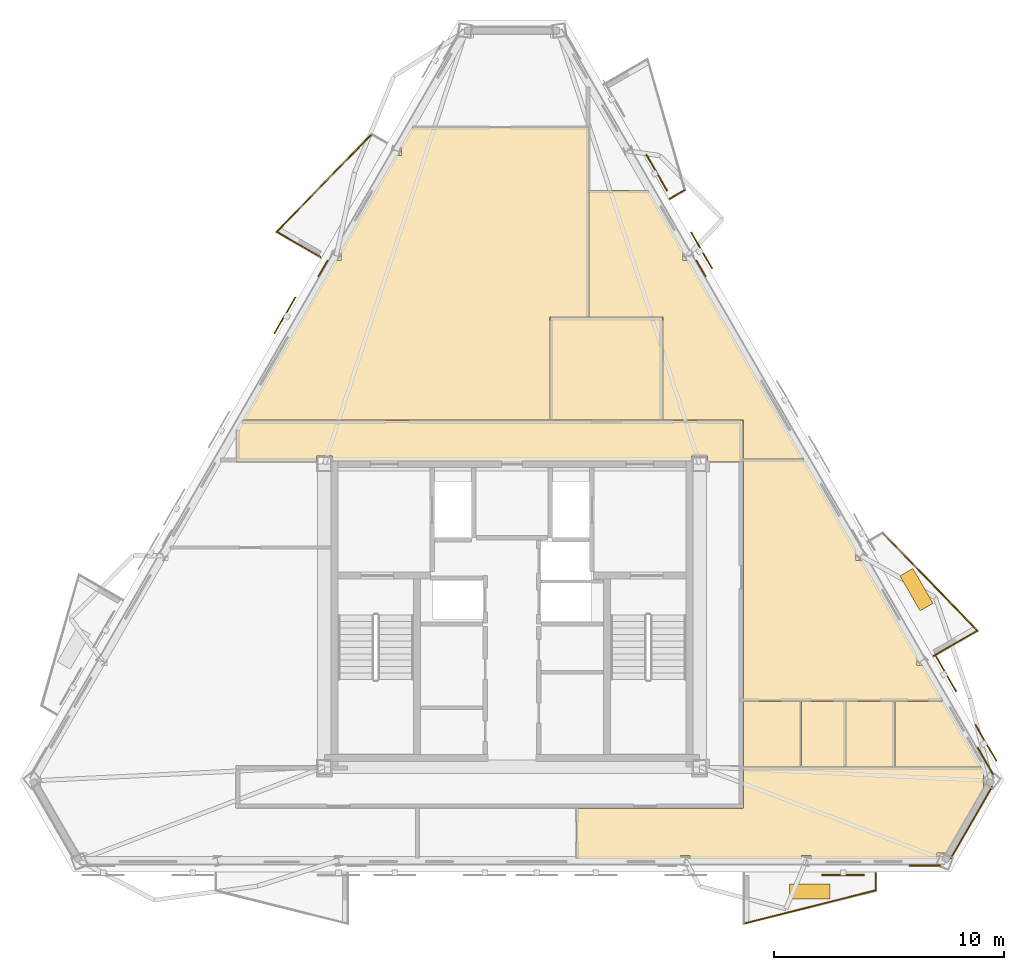
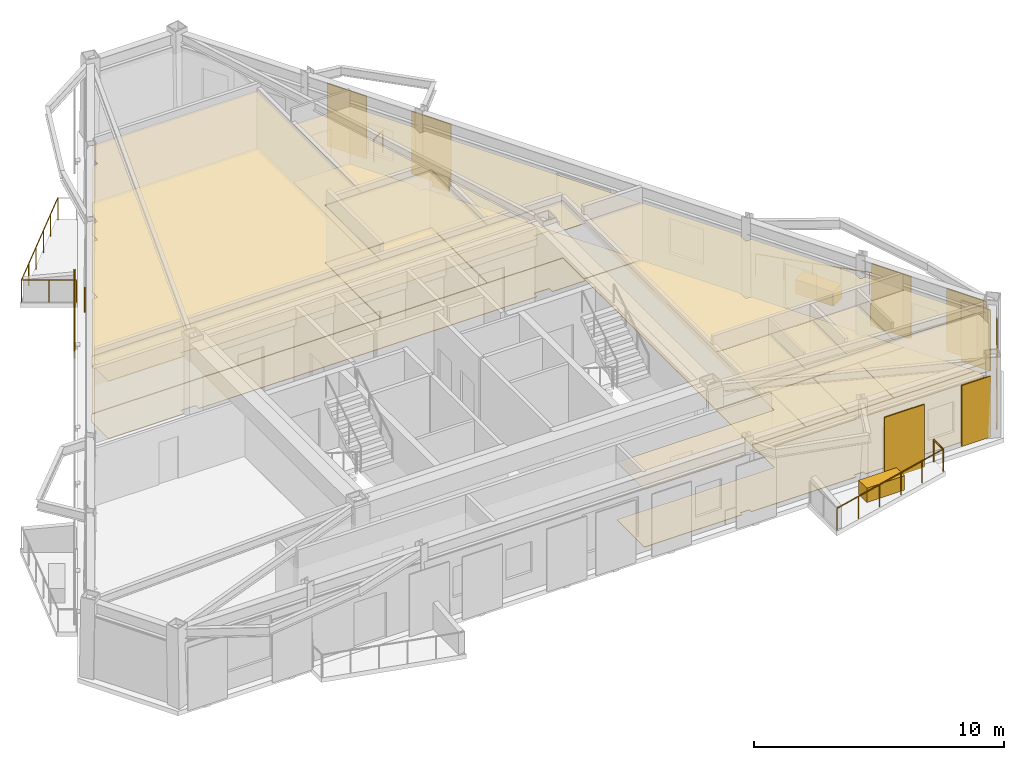
# One storey, part 8 of 9: 27 coverings, 7 railings, 6 shading devices.
"""IFC4 building model written with IfcOpenShell, lengths in metres."""

from ifc_helpers import new_model, si_unit, direction, frame, origin, origin_2d, place, context, subcontext, project, spatial, polyline, rectangle, circle, outline, extrude, material, layer, layer_set, type_object, element, save


model = new_model("IFC4")

# Units and contexts
model_context = context("Model", 3, precision=1e-05, world=origin(), true_north=direction((0.0, 1.0)))
body_context = subcontext(model_context, "Body", "Model", "MODEL_VIEW")
ifc_project = project(units=[si_unit("LENGTHUNIT", "METRE"), si_unit("AREAUNIT", "SQUARE_METRE"), si_unit("VOLUMEUNIT", "CUBIC_METRE"), si_unit("PLANEANGLEUNIT", "RADIAN"), si_unit("MASSUNIT", "GRAM", prefix="KILO")], contexts=[model_context])

# Site, building, storey
site_placement = place(None, origin())
site = spatial("IfcSite", under=ifc_project, at=site_placement, CompositionType="ELEMENT")
building_placement = place(site_placement, origin())
building = spatial("IfcBuilding", under=site, at=building_placement, Name="Oramaril Tower", CompositionType="ELEMENT")
storey_placement = place(building_placement, frame((0.0, 0.0, 292.800048828125)))
storey = spatial("IfcBuildingStorey", under=building, at=storey_placement, Name="L77", CompositionType="ELEMENT", Elevation=292.800048828125)

# Coverings
ifc_material_1 = material(Name="Mineral Fibre Acoustic Ceiling")
ifc_layer_1 = layer(ifc_material_1, 0.02001953125)
ifc_layer_set_1 = layer_set([ifc_layer_1], Name="CVT-CEIL")
covering_type_1 = type_object("IfcCoveringType", Name="CVT-CEIL", PredefinedType="CEILING", material=ifc_layer_set_1)
covering_1_placement = place(storey_placement, frame((0.0, 0.0, 2.81201171875)))
element("IfcCovering", 1, at=covering_1_placement, inside=storey, type_object=covering_type_1, Name="L77 Acoustic Suspended Ceiling 2", PredefinedType="CEILING", context=body_context, shape_type="SweptSolid", body=[
    extrude(outline(polyline([(45.9951171875, 24.239990234375), (45.9951171875, 24.4951171875), (45.304931640625, 24.4951171875), (45.304931640625, 24.25), (29.695068359375, 24.25), (29.695068359375, 24.4951171875), (29.0048828125, 24.4951171875), (29.0048828125, 24.239990234375), (25.52001953125, 24.239990234375), (25.52001953125, 25.640869140625), (25.756103515625, 26.050048828125), (47.530029296875, 26.050048828125), (47.530029296875, 24.239990234375), (45.9951171875, 24.239990234375)])), origin(), (0.0, 0.0, 1.0), 0.02001953125),
])
covering_2_placement = place(storey_placement, frame((0.0, 0.0, 2.81201171875)))
element("IfcCovering", 2, at=covering_2_placement, inside=storey, type_object=covering_type_1, Name="L77 Acoustic Suspended Ceiling 4", PredefinedType="CEILING", context=body_context, shape_type="SweptSolid", body=[
    extrude(outline(polyline([(44.0419921875, 30.511962890625), (44.0419921875, 26.070068359375), (39.157958984375, 26.070068359375), (39.157958984375, 30.511962890625), (44.0419921875, 30.511962890625)])), origin(), (0.0, 0.0, 1.0), 0.02001953125),
])
covering_3_placement = place(storey_placement, frame((0.0, 0.0, 2.81201171875)))
element("IfcCovering", 3, at=covering_3_placement, inside=storey, type_object=covering_type_1, Name="L77 Acoustic Suspended Ceiling 5", PredefinedType="CEILING", context=body_context, shape_type="SweptSolid", body=[
    extrude(outline(polyline([(57.8935546875, 10.991943359375), (58.02783203125, 10.75927734375), (57.979248046875, 10.75927734375), (57.979248046875, 10.072021484375), (58.00048828125, 10.072021484375), (56.3779296875, 7.261474609375), (55.965087890625, 7.261474609375), (55.965087890625, 6.99267578125), (50.495361328125, 6.99267578125), (50.495361328125, 7.14794921875), (50.0673828125, 7.14794921875), (50.0673828125, 6.99267578125), (45.229248046875, 6.99267578125), (45.229248046875, 7.14794921875), (44.8076171875, 7.14794921875), (44.8076171875, 6.99267578125), (40.2919921875, 6.99267578125), (40.2919921875, 9.199951171875), (47.530029296875, 9.199951171875), (47.531982421875, 9.2001953125), (47.533935546875, 9.200439453125), (47.535888671875, 9.200927734375), (47.53759765625, 9.201416015625), (47.539306640625, 9.202392578125), (47.541015625, 9.203369140625), (47.542724609375, 9.20458984375), (47.544189453125, 9.205810546875), (47.54541015625, 9.207275390625), (47.546630859375, 9.208984375), (47.547607421875, 9.210693359375), (47.548583984375, 9.21240234375), (47.549072265625, 9.214111328125), (47.549560546875, 9.216064453125), (47.5498046875, 9.218017578125), (47.550048828125, 9.219970703125), (47.550048828125, 10.991943359375), (57.8935546875, 10.991943359375)])), origin(), (0.0, 0.0, 1.0), 0.02001953125),
])
covering_4_placement = place(storey_placement, frame((0.0, 0.0, 2.81201171875)))
element("IfcCovering", 4, at=covering_4_placement, inside=storey, type_object=covering_type_1, Name="L77 Acoustic Suspended Ceiling 9", PredefinedType="CEILING", context=body_context, shape_type="SweptSolid", body=[
    extrude(outline(polyline([(52.45068359375, 20.40673828125), (52.45068359375, 19.9580078125), (52.717041015625, 19.9580078125), (55.087890625, 15.851806640625), (55.08349609375, 15.851806640625), (55.08349609375, 15.3974609375), (55.35009765625, 15.3974609375), (56.239013671875, 13.85791015625), (47.550048828125, 13.85791015625), (47.550048828125, 24.219970703125), (47.5498046875, 24.221923828125), (47.549560546875, 24.223876953125), (47.549072265625, 24.225830078125), (47.548583984375, 24.227783203125), (47.547607421875, 24.2294921875), (47.54736328125, 24.22998046875), (47.547607421875, 24.230712890625), (47.548583984375, 24.232421875), (47.549072265625, 24.234130859375), (47.549560546875, 24.236083984375), (47.5498046875, 24.238037109375), (47.550048828125, 24.239990234375), (47.550048828125, 24.362060546875), (50.17431640625, 24.362060546875), (52.4580078125, 20.40673828125), (52.45068359375, 20.40673828125)])), origin(), (0.0, 0.0, 1.0), 0.02001953125),
])
covering_5_placement = place(storey_placement, frame((0.0, 0.0, 2.81201171875)))
element("IfcCovering", 5, at=covering_5_placement, inside=storey, type_object=covering_type_1, Name="L77 Acoustic Suspended Ceiling 10", PredefinedType="CEILING", context=body_context, shape_type="SweptSolid", body=[
    extrude(outline(polyline([(50.047119140625, 11.011962890625), (47.550048828125, 11.011962890625), (47.550048828125, 11.030029296875), (47.5498046875, 11.031982421875), (47.549560546875, 11.033935546875), (47.549072265625, 11.035888671875), (47.548583984375, 11.03759765625), (47.547607421875, 11.039306640625), (47.54736328125, 11.0400390625), (47.547607421875, 11.04052734375), (47.548583984375, 11.042236328125), (47.549072265625, 11.044189453125), (47.549560546875, 11.046142578125), (47.5498046875, 11.048095703125), (47.550048828125, 11.050048828125), (47.550048828125, 13.837890625), (50.047119140625, 13.837890625), (50.047119140625, 11.011962890625)])), origin(), (0.0, 0.0, 1.0), 0.02001953125),
])
covering_6_placement = place(storey_placement, frame((0.0, 0.0, 2.81201171875)))
element("IfcCovering", 6, at=covering_6_placement, inside=storey, type_object=covering_type_1, Name="L77 Acoustic Suspended Ceiling 11", PredefinedType="CEILING", context=body_context, shape_type="SweptSolid", body=[
    extrude(outline(polyline([(51.9970703125, 11.011962890625), (50.06689453125, 11.011962890625), (50.06689453125, 13.837890625), (51.9970703125, 13.837890625), (51.9970703125, 11.011962890625)])), origin(), (0.0, 0.0, 1.0), 0.02001953125),
])
covering_7_placement = place(storey_placement, frame((0.0, 0.0, 2.81201171875)))
element("IfcCovering", 7, at=covering_7_placement, inside=storey, type_object=covering_type_1, Name="L77 Acoustic Suspended Ceiling 12", PredefinedType="CEILING", context=body_context, shape_type="SweptSolid", body=[
    extrude(outline(polyline([(54.111328125, 11.011962890625), (52.01708984375, 11.011962890625), (52.01708984375, 13.837890625), (54.111328125, 13.837890625), (54.111328125, 11.011962890625)])), origin(), (0.0, 0.0, 1.0), 0.02001953125),
])
covering_8_placement = place(storey_placement, frame((0.0, 0.0, 2.81201171875)))
element("IfcCovering", 8, at=covering_8_placement, inside=storey, type_object=covering_type_1, Name="L77 Acoustic Suspended Ceiling 13", PredefinedType="CEILING", context=body_context, shape_type="SweptSolid", body=[
    extrude(outline(polyline([(57.882080078125, 11.011962890625), (54.13134765625, 11.011962890625), (54.13134765625, 13.837890625), (56.239013671875, 13.837890625), (56.240966796875, 13.838134765625), (56.242919921875, 13.83837890625), (56.244873046875, 13.8388671875), (56.24658203125, 13.839599609375), (56.248291015625, 13.84033203125), (56.248779296875, 13.8408203125), (57.882080078125, 11.011962890625)])), origin(), (0.0, 0.0, 1.0), 0.02001953125),
])
covering_9_placement = place(storey_placement, frame((0.0, 0.0, 2.81201171875)))
element("IfcCovering", 9, at=covering_9_placement, inside=storey, type_object=covering_type_1, Name="L77 Acoustic Suspended Ceiling 14", PredefinedType="CEILING", context=body_context, shape_type="SweptSolid", body=[
    extrude(outline(polyline([(29.8056640625, 32.98779296875), (30.072265625, 32.98779296875), (30.072265625, 33.421630859375), (30.05615234375, 33.421630859375), (32.438720703125, 37.54833984375), (32.705322265625, 37.54833984375), (32.705322265625, 37.976806640625), (32.68603515625, 37.976806640625), (33.159423828125, 38.796875), (40.842041015625, 38.796875), (40.842041015625, 30.531982421875), (39.157958984375, 30.531982421875), (39.156005859375, 30.531982421875), (39.154052734375, 30.531494140625), (39.152099609375, 30.531005859375), (39.150390625, 30.530517578125), (39.148681640625, 30.529541015625), (39.14697265625, 30.528564453125), (39.145263671875, 30.527587890625), (39.143798828125, 30.526123046875), (39.142578125, 30.524658203125), (39.141357421875, 30.523193359375), (39.140380859375, 30.521484375), (39.139404296875, 30.519775390625), (39.138916015625, 30.517822265625), (39.138427734375, 30.515869140625), (39.13818359375, 30.513916015625), (39.137939453125, 30.511962890625), (39.137939453125, 26.070068359375), (25.811767578125, 26.070068359375), (29.8056640625, 32.98779296875)])), origin(), (0.0, 0.0, 1.0), 0.02001953125),
])
covering_10_placement = place(storey_placement, frame((0.0, 0.0, 2.81201171875)))
element("IfcCovering", 10, at=covering_10_placement, inside=storey, type_object=covering_type_1, Name="L77 Acoustic Suspended Ceiling 16", PredefinedType="CEILING", context=body_context, shape_type="SweptSolid", body=[
    extrude(outline(polyline([(43.4423828125, 36.0224609375), (44.94384765625, 33.421630859375), (44.927734375, 33.421630859375), (44.927734375, 32.98779296875), (45.1943359375, 32.98779296875), (50.162841796875, 24.382080078125), (47.550048828125, 24.382080078125), (47.550048828125, 26.050048828125), (47.5498046875, 26.052001953125), (47.549560546875, 26.053955078125), (47.549072265625, 26.055908203125), (47.548583984375, 26.0576171875), (47.547607421875, 26.059326171875), (47.546630859375, 26.06103515625), (47.54541015625, 26.062744140625), (47.544189453125, 26.064208984375), (47.542724609375, 26.0654296875), (47.541015625, 26.066650390625), (47.539306640625, 26.067626953125), (47.53759765625, 26.068603515625), (47.535888671875, 26.069091796875), (47.533935546875, 26.069580078125), (47.531982421875, 26.06982421875), (47.530029296875, 26.070068359375), (44.06201171875, 26.070068359375), (44.06201171875, 30.511962890625), (44.06201171875, 30.513916015625), (44.0615234375, 30.515869140625), (44.06103515625, 30.517822265625), (44.060546875, 30.519775390625), (44.0595703125, 30.521484375), (44.05859375, 30.523193359375), (44.0576171875, 30.524658203125), (44.05615234375, 30.526123046875), (44.0546875, 30.527587890625), (44.052978515625, 30.528564453125), (44.051513671875, 30.529541015625), (44.0498046875, 30.530517578125), (44.0478515625, 30.531005859375), (44.0458984375, 30.531494140625), (44.0439453125, 30.531982421875), (44.0419921875, 30.531982421875), (40.862060546875, 30.531982421875), (40.862060546875, 36.0224609375), (43.4423828125, 36.0224609375)])), origin(), (0.0, 0.0, 1.0), 0.02001953125),
])
ifc_material_2 = material(Name="Warm Cream Limestone", Category="masonry")
ifc_layer_2 = layer(ifc_material_2, 0.050048828125)
ifc_layer_set_2 = layer_set([ifc_layer_2], Name="CVT-CLD")
covering_type_2 = type_object("IfcCoveringType", Name="CVT-CLD", PredefinedType="CLADDING", material=ifc_layer_set_2)
covering_11_placement = place(storey_placement, frame((55.43505859375, 6.716552734375, 0.0400390625), z_axis=(0.0, 0.0, 1.0), x_axis=(1.0, 0.0, 0.0)))
element("IfcCovering", 11, at=covering_11_placement, inside=storey, type_object=covering_type_2, Name="L77 Warm Cream Limestone Cladding", PredefinedType="CLADDING", context=body_context, shape_type="SweptSolid", body=[
    extrude(rectangle(XDim=1.35009765625, YDim=0.050048828125, at=origin_2d()), origin(), (0.0, 0.0, 1.0), 2.97802734375),
])
covering_12_placement = place(storey_placement, frame((57.456787109375, 8.577880859375, 0.0400390625), z_axis=(0.0, 0.0, 1.0), x_axis=(0.4999984885, 0.866026276448, 0.0)))
element("IfcCovering", 12, at=covering_12_placement, inside=storey, type_object=covering_type_2, Name="L77 Warm Cream Limestone Cladding", PredefinedType="CLADDING", context=body_context, shape_type="SweptSolid", body=[
    extrude(rectangle(XDim=3.6044921875, YDim=0.050048828125, at=origin_2d()), origin(), (0.0, 0.0, 1.0), 2.97802734375),
])
covering_13_placement = place(storey_placement, frame((58.057861328125, 11.259521484375, 0.0400390625), z_axis=(0.0, 0.0, 1.0), x_axis=(-0.5, 0.866025403784, 0.0)))
element("IfcCovering", 13, at=covering_13_placement, inside=storey, type_object=covering_type_2, Name="L77 Warm Cream Limestone Cladding", PredefinedType="CLADDING", context=body_context, shape_type="SweptSolid", body=[
    extrude(rectangle(XDim=1.35009765625, YDim=0.050048828125, at=origin_2d()), origin(), (0.0, 0.0, 1.0), 2.97802734375),
])
for number, where, z_axis, x_axis, name in (
    (14, (45.708984375, 32.648193359375, 0.0400390625), (0.0, 0.0, 1.0), (-0.5, 0.866025403784, 0.0), "L77 Warm Cream Limestone Spandrel Cladding"),
    (15, (29.291015625, 32.648193359375, 0.0400390625), (0.0, 0.0, 1.0), (-0.5, -0.866025403784, 0.0), "L77 Warm Cream Limestone Spandrel Cladding"),
):
    element("IfcCovering", number, at=place(storey_placement, frame(where, z_axis=z_axis, x_axis=x_axis)), inside=storey, type_object=covering_type_2, Name=name, PredefinedType="CLADDING", context=body_context, shape_type="SweptSolid", body=[
        extrude(rectangle(XDim=0.800048828125, YDim=0.050048828125, at=origin_2d()), origin(), (0.0, 0.0, 1.0), 0.679931640625),
    ])
for number, where, z_axis, x_axis, name in (
    (16, (50.42578125, 5.588134765625, 0.0), (0.0, 0.0, 1.0), (1.0, 0.0, 0.0), "L77 Structural Tree Planter Box L77-BAL-S2"),
    (17, (55.068115234375, 18.695068359375, 0.0), (0.0, 0.0, 1.0), (-0.5, 0.866025403784, 0.0), "L77 Structural Tree Planter Box L77-BAL-NE1"),
):
    element("IfcCovering", number, at=place(storey_placement, frame(where, z_axis=z_axis, x_axis=x_axis)), inside=storey, type_object=covering_type_2, Name=name, PredefinedType="CLADDING", context=body_context, shape_type="SweptSolid", body=[
        extrude(rectangle(XDim=1.75, YDim=0.64990234375, at=origin_2d()), origin(), (0.0, 0.0, 1.0), 0.699951171875),
    ])
ifc_material_3 = material(Name="Honed Quartzite Stone Flooring", Category="masonry")
ifc_layer_3 = layer(ifc_material_3, 0.02490234375)
ifc_layer_set_3 = layer_set([ifc_layer_3], Name="CVT-FLR")
covering_type_3 = type_object("IfcCoveringType", Name="CVT-FLR", PredefinedType="FLOORING", material=ifc_layer_set_3)
covering_14_placement = place(storey_placement, origin())
element("IfcCovering", 18, at=covering_14_placement, inside=storey, type_object=covering_type_3, Name="L77 Honed Stone Floor Finish 2", PredefinedType="FLOORING", context=body_context, shape_type="SweptSolid", body=[
    extrude(outline(polyline([(45.9951171875, 24.239990234375), (45.9951171875, 24.4951171875), (45.304931640625, 24.4951171875), (45.304931640625, 24.25), (29.695068359375, 24.25), (29.695068359375, 24.4951171875), (29.0048828125, 24.4951171875), (29.0048828125, 24.239990234375), (25.52001953125, 24.239990234375), (25.52001953125, 25.640869140625), (25.756103515625, 26.050048828125), (47.530029296875, 26.050048828125), (47.530029296875, 24.239990234375), (45.9951171875, 24.239990234375)])), origin(), (0.0, 0.0, 1.0), 0.02490234375),
])
covering_15_placement = place(storey_placement, origin())
element("IfcCovering", 19, at=covering_15_placement, inside=storey, type_object=covering_type_3, Name="L77 Honed Stone Floor Finish 4", PredefinedType="FLOORING", context=body_context, shape_type="SweptSolid", body=[
    extrude(outline(polyline([(44.0419921875, 30.511962890625), (44.0419921875, 26.070068359375), (39.157958984375, 26.070068359375), (39.157958984375, 30.511962890625), (44.0419921875, 30.511962890625)])), origin(), (0.0, 0.0, 1.0), 0.02490234375),
])
covering_16_placement = place(storey_placement, origin())
element("IfcCovering", 20, at=covering_16_placement, inside=storey, type_object=covering_type_3, Name="L77 Honed Stone Floor Finish 5", PredefinedType="FLOORING", context=body_context, shape_type="SweptSolid", body=[
    extrude(outline(polyline([(57.8935546875, 10.991943359375), (58.02783203125, 10.75927734375), (57.979248046875, 10.75927734375), (57.979248046875, 10.072021484375), (58.00048828125, 10.072021484375), (56.3779296875, 7.261474609375), (55.965087890625, 7.261474609375), (55.965087890625, 6.99267578125), (50.495361328125, 6.99267578125), (50.495361328125, 7.14794921875), (50.0673828125, 7.14794921875), (50.0673828125, 6.99267578125), (45.229248046875, 6.99267578125), (45.229248046875, 7.14794921875), (44.8076171875, 7.14794921875), (44.8076171875, 6.99267578125), (40.2919921875, 6.99267578125), (40.2919921875, 9.199951171875), (47.530029296875, 9.199951171875), (47.531982421875, 9.2001953125), (47.533935546875, 9.200439453125), (47.535888671875, 9.200927734375), (47.53759765625, 9.201416015625), (47.539306640625, 9.202392578125), (47.541015625, 9.203369140625), (47.542724609375, 9.20458984375), (47.544189453125, 9.205810546875), (47.54541015625, 9.207275390625), (47.546630859375, 9.208984375), (47.547607421875, 9.210693359375), (47.548583984375, 9.21240234375), (47.549072265625, 9.214111328125), (47.549560546875, 9.216064453125), (47.5498046875, 9.218017578125), (47.550048828125, 9.219970703125), (47.550048828125, 10.991943359375), (57.8935546875, 10.991943359375)])), origin(), (0.0, 0.0, 1.0), 0.02490234375),
])
covering_17_placement = place(storey_placement, origin())
element("IfcCovering", 21, at=covering_17_placement, inside=storey, type_object=covering_type_3, Name="L77 Honed Stone Floor Finish 9", PredefinedType="FLOORING", context=body_context, shape_type="SweptSolid", body=[
    extrude(outline(polyline([(52.45068359375, 20.40673828125), (52.45068359375, 19.9580078125), (52.717041015625, 19.9580078125), (55.087890625, 15.851806640625), (55.08349609375, 15.851806640625), (55.08349609375, 15.3974609375), (55.35009765625, 15.3974609375), (56.239013671875, 13.85791015625), (47.550048828125, 13.85791015625), (47.550048828125, 24.219970703125), (47.5498046875, 24.221923828125), (47.549560546875, 24.223876953125), (47.549072265625, 24.225830078125), (47.548583984375, 24.227783203125), (47.547607421875, 24.2294921875), (47.54736328125, 24.22998046875), (47.547607421875, 24.230712890625), (47.548583984375, 24.232421875), (47.549072265625, 24.234130859375), (47.549560546875, 24.236083984375), (47.5498046875, 24.238037109375), (47.550048828125, 24.239990234375), (47.550048828125, 24.362060546875), (50.17431640625, 24.362060546875), (52.4580078125, 20.40673828125), (52.45068359375, 20.40673828125)])), origin(), (0.0, 0.0, 1.0), 0.02490234375),
])
covering_18_placement = place(storey_placement, origin())
element("IfcCovering", 22, at=covering_18_placement, inside=storey, type_object=covering_type_3, Name="L77 Honed Stone Floor Finish 10", PredefinedType="FLOORING", context=body_context, shape_type="SweptSolid", body=[
    extrude(outline(polyline([(50.047119140625, 11.011962890625), (47.550048828125, 11.011962890625), (47.550048828125, 11.030029296875), (47.5498046875, 11.031982421875), (47.549560546875, 11.033935546875), (47.549072265625, 11.035888671875), (47.548583984375, 11.03759765625), (47.547607421875, 11.039306640625), (47.54736328125, 11.0400390625), (47.547607421875, 11.04052734375), (47.548583984375, 11.042236328125), (47.549072265625, 11.044189453125), (47.549560546875, 11.046142578125), (47.5498046875, 11.048095703125), (47.550048828125, 11.050048828125), (47.550048828125, 13.837890625), (50.047119140625, 13.837890625), (50.047119140625, 11.011962890625)])), origin(), (0.0, 0.0, 1.0), 0.02490234375),
])
covering_19_placement = place(storey_placement, origin())
element("IfcCovering", 23, at=covering_19_placement, inside=storey, type_object=covering_type_3, Name="L77 Honed Stone Floor Finish 11", PredefinedType="FLOORING", context=body_context, shape_type="SweptSolid", body=[
    extrude(outline(polyline([(51.9970703125, 11.011962890625), (50.06689453125, 11.011962890625), (50.06689453125, 13.837890625), (51.9970703125, 13.837890625), (51.9970703125, 11.011962890625)])), origin(), (0.0, 0.0, 1.0), 0.02490234375),
])
covering_20_placement = place(storey_placement, origin())
element("IfcCovering", 24, at=covering_20_placement, inside=storey, type_object=covering_type_3, Name="L77 Honed Stone Floor Finish 12", PredefinedType="FLOORING", context=body_context, shape_type="SweptSolid", body=[
    extrude(outline(polyline([(54.111328125, 11.011962890625), (52.01708984375, 11.011962890625), (52.01708984375, 13.837890625), (54.111328125, 13.837890625), (54.111328125, 11.011962890625)])), origin(), (0.0, 0.0, 1.0), 0.02490234375),
])
covering_21_placement = place(storey_placement, origin())
element("IfcCovering", 25, at=covering_21_placement, inside=storey, type_object=covering_type_3, Name="L77 Honed Stone Floor Finish 13", PredefinedType="FLOORING", context=body_context, shape_type="SweptSolid", body=[
    extrude(outline(polyline([(57.882080078125, 11.011962890625), (54.13134765625, 11.011962890625), (54.13134765625, 13.837890625), (56.239013671875, 13.837890625), (56.240966796875, 13.838134765625), (56.242919921875, 13.83837890625), (56.244873046875, 13.8388671875), (56.24658203125, 13.839599609375), (56.248291015625, 13.84033203125), (56.248779296875, 13.8408203125), (57.882080078125, 11.011962890625)])), origin(), (0.0, 0.0, 1.0), 0.02490234375),
])
covering_22_placement = place(storey_placement, origin())
element("IfcCovering", 26, at=covering_22_placement, inside=storey, type_object=covering_type_3, Name="L77 Honed Stone Floor Finish 14", PredefinedType="FLOORING", context=body_context, shape_type="SweptSolid", body=[
    extrude(outline(polyline([(29.8056640625, 32.98779296875), (30.072265625, 32.98779296875), (30.072265625, 33.421630859375), (30.05615234375, 33.421630859375), (32.438720703125, 37.54833984375), (32.705322265625, 37.54833984375), (32.705322265625, 37.976806640625), (32.68603515625, 37.976806640625), (33.159423828125, 38.796875), (40.842041015625, 38.796875), (40.842041015625, 30.531982421875), (39.157958984375, 30.531982421875), (39.156005859375, 30.531982421875), (39.154052734375, 30.531494140625), (39.152099609375, 30.531005859375), (39.150390625, 30.530517578125), (39.148681640625, 30.529541015625), (39.14697265625, 30.528564453125), (39.145263671875, 30.527587890625), (39.143798828125, 30.526123046875), (39.142578125, 30.524658203125), (39.141357421875, 30.523193359375), (39.140380859375, 30.521484375), (39.139404296875, 30.519775390625), (39.138916015625, 30.517822265625), (39.138427734375, 30.515869140625), (39.13818359375, 30.513916015625), (39.137939453125, 30.511962890625), (39.137939453125, 26.070068359375), (25.811767578125, 26.070068359375), (29.8056640625, 32.98779296875)])), origin(), (0.0, 0.0, 1.0), 0.02490234375),
])
covering_23_placement = place(storey_placement, origin())
element("IfcCovering", 27, at=covering_23_placement, inside=storey, type_object=covering_type_3, Name="L77 Honed Stone Floor Finish 16", PredefinedType="FLOORING", context=body_context, shape_type="SweptSolid", body=[
    extrude(outline(polyline([(43.4423828125, 36.0224609375), (44.94384765625, 33.421630859375), (44.927734375, 33.421630859375), (44.927734375, 32.98779296875), (45.1943359375, 32.98779296875), (50.162841796875, 24.382080078125), (47.550048828125, 24.382080078125), (47.550048828125, 26.050048828125), (47.5498046875, 26.052001953125), (47.549560546875, 26.053955078125), (47.549072265625, 26.055908203125), (47.548583984375, 26.0576171875), (47.547607421875, 26.059326171875), (47.546630859375, 26.06103515625), (47.54541015625, 26.062744140625), (47.544189453125, 26.064208984375), (47.542724609375, 26.0654296875), (47.541015625, 26.066650390625), (47.539306640625, 26.067626953125), (47.53759765625, 26.068603515625), (47.535888671875, 26.069091796875), (47.533935546875, 26.069580078125), (47.531982421875, 26.06982421875), (47.530029296875, 26.070068359375), (44.06201171875, 26.070068359375), (44.06201171875, 30.511962890625), (44.06201171875, 30.513916015625), (44.0615234375, 30.515869140625), (44.06103515625, 30.517822265625), (44.060546875, 30.519775390625), (44.0595703125, 30.521484375), (44.05859375, 30.523193359375), (44.0576171875, 30.524658203125), (44.05615234375, 30.526123046875), (44.0546875, 30.527587890625), (44.052978515625, 30.528564453125), (44.051513671875, 30.529541015625), (44.0498046875, 30.530517578125), (44.0478515625, 30.531005859375), (44.0458984375, 30.531494140625), (44.0439453125, 30.531982421875), (44.0419921875, 30.531982421875), (40.862060546875, 30.531982421875), (40.862060546875, 36.0224609375), (43.4423828125, 36.0224609375)])), origin(), (0.0, 0.0, 1.0), 0.02490234375),
])

# Railings
ifc_material_4 = material(Name="Stainless Steel 316L", Category="steel")
railing_type = type_object("IfcRailingType", Name="RLT-GRD", PredefinedType="GUARDRAIL", material=ifc_material_4)
railing_1_placement = place(storey_placement, frame((53.290771484375, 6.376708984375, 0.0)))
element("IfcRailing", 28, at=railing_1_placement, inside=storey, type_object=railing_type, Name="L77 Balcony Guardrail L77-BAL-S2.1", PredefinedType="GUARDRAIL", context=body_context, shape_type="SweptSolid", body=[
    extrude(circle(Radius=0.02392578125, at=origin_2d()), frame((0.0, 0.0, 1.076171875), z_axis=(0.0, -1.0, 0.0), x_axis=(1.0, 0.0, 0.0)), (0.0, 0.0, 1.0), 0.7421875),
    extrude(circle(Radius=0.02099609375, at=origin_2d()), origin(), (0.0, 0.0, 1.0), 1.052001953125),
    extrude(circle(Radius=0.02099609375, at=origin_2d()), frame((0.0, -0.7421875, 0.0)), (0.0, 0.0, 1.0), 1.052001953125),
])
railing_2_placement = place(storey_placement, frame((53.290771484375, 5.634521484375, 0.0)))
element("IfcRailing", 29, at=railing_2_placement, inside=storey, type_object=railing_type, Name="L77 Balcony Guardrail L77-BAL-S2.2", PredefinedType="GUARDRAIL", context=body_context, shape_type="SweptSolid", body=[
    extrude(circle(Radius=0.02392578125, at=origin_2d()), frame((0.0, 0.0, 1.076171875), z_axis=(-0.969443611257, -0.245314256807, 0.0), x_axis=(0.245314256807, -0.969443611257, 0.0)), (0.0, 0.0, 1.0), 5.91064453125),
    extrude(circle(Radius=0.02099609375, at=origin_2d()), origin(), (0.0, 0.0, 1.0), 1.052001953125),
    extrude(circle(Radius=0.02099609375, at=origin_2d()), frame((-1.14599609375, -0.2900390625, 0.0)), (0.0, 0.0, 1.0), 1.052001953125),
    extrude(circle(Radius=0.02099609375, at=origin_2d()), frame((-2.2919921875, -0.580078125, 0.0)), (0.0, 0.0, 1.0), 1.052001953125),
    extrude(circle(Radius=0.02099609375, at=origin_2d()), frame((-3.43798828125, -0.869873046875, 0.0)), (0.0, 0.0, 1.0), 1.052001953125),
    extrude(circle(Radius=0.02099609375, at=origin_2d()), frame((-4.583984375, -1.159912109375, 0.0)), (0.0, 0.0, 1.0), 1.052001953125),
    extrude(circle(Radius=0.02099609375, at=origin_2d()), frame((-5.72998046875, -1.449951171875, 0.0)), (0.0, 0.0, 1.0), 1.052001953125),
])
railing_3_placement = place(storey_placement, frame((53.59521484375, 21.153076171875, 0.0)))
element("IfcRailing", 30, at=railing_3_placement, inside=storey, type_object=railing_type, Name="L77 Balcony Guardrail L77-BAL-NE1.2", PredefinedType="GUARDRAIL", context=body_context, shape_type="SweptSolid", body=[
    extrude(circle(Radius=0.02392578125, at=origin_2d()), frame((0.0, 0.0, 1.076171875), z_axis=(0.697186915353, -0.716889395277, 0.0), x_axis=(0.716889395277, 0.697186915353, 0.0)), (0.0, 0.0, 1.0), 5.91064453125),
    extrude(circle(Radius=0.02099609375, at=origin_2d()), origin(), (0.0, 0.0, 1.0), 1.052001953125),
    extrude(circle(Radius=0.02099609375, at=origin_2d()), frame((0.82421875, -0.847412109375, 0.0)), (0.0, 0.0, 1.0), 1.052001953125),
    extrude(circle(Radius=0.02099609375, at=origin_2d()), frame((1.6484375, -1.69482421875, 0.0)), (0.0, 0.0, 1.0), 1.052001953125),
    extrude(circle(Radius=0.02099609375, at=origin_2d()), frame((2.472412109375, -2.54248046875, 0.0)), (0.0, 0.0, 1.0), 1.052001953125),
    extrude(circle(Radius=0.02099609375, at=origin_2d()), frame((3.296630859375, -3.389892578125, 0.0)), (0.0, 0.0, 1.0), 1.052001953125),
    extrude(circle(Radius=0.02099609375, at=origin_2d()), frame((4.120849609375, -4.2373046875, 0.0)), (0.0, 0.0, 1.0), 1.052001953125),
])
railing_4_placement = place(storey_placement, frame((57.716064453125, 16.915771484375, 0.0)))
element("IfcRailing", 31, at=railing_4_placement, inside=storey, type_object=railing_type, Name="L77 Balcony Guardrail L77-BAL-NE1.3", PredefinedType="GUARDRAIL", context=body_context, shape_type="SweptSolid", body=[
    extrude(circle(Radius=0.02392578125, at=origin_2d()), frame((0.0, 0.0, 1.076171875), z_axis=(-0.866000118559, -0.500043792738, 0.0), x_axis=(0.500043792738, -0.866000118559, 0.0)), (0.0, 0.0, 1.0), 2.192138671875),
    extrude(circle(Radius=0.02099609375, at=origin_2d()), origin(), (0.0, 0.0, 1.0), 1.052001953125),
    extrude(circle(Radius=0.02099609375, at=origin_2d()), frame((-0.94921875, -0.548095703125, 0.0)), (0.0, 0.0, 1.0), 1.052001953125),
    extrude(circle(Radius=0.02099609375, at=origin_2d()), frame((-1.8984375, -1.09619140625, 0.0)), (0.0, 0.0, 1.0), 1.052001953125),
])
railing_5_placement = place(storey_placement, frame((44.9970703125, 36.045654296875, 0.0)))
element("IfcRailing", 32, at=railing_5_placement, inside=storey, type_object=railing_type, Name="L77 Balcony Guardrail L77-BAL-NE2.3", PredefinedType="GUARDRAIL", context=body_context, shape_type="SweptSolid", body=[
    extrude(circle(Radius=0.02392578125, at=origin_2d()), frame((0.0, 0.0, 1.076171875), z_axis=(-0.865966403178, -0.500102178127, 0.0), x_axis=(0.500102178127, -0.865966403178, 0.0)), (0.0, 0.0, 1.0), 0.741943359375),
    extrude(circle(Radius=0.02099609375, at=origin_2d()), origin(), (0.0, 0.0, 1.0), 1.052001953125),
    extrude(circle(Radius=0.02099609375, at=origin_2d()), frame((-0.642578125, -0.37109375, 0.0)), (0.0, 0.0, 1.0), 1.052001953125),
])
railing_6_placement = place(storey_placement, frame((29.18310546875, 33.141357421875, 0.0)))
element("IfcRailing", 33, at=railing_6_placement, inside=storey, type_object=railing_type, Name="L77 Balcony Guardrail L77-BAL-NW1.1", PredefinedType="GUARDRAIL", context=body_context, shape_type="SweptSolid", body=[
    extrude(circle(Radius=0.02392578125, at=origin_2d()), frame((0.0, 0.0, 1.076171875), z_axis=(-0.866048343933, 0.499960264392, 0.0), x_axis=(-0.499960264392, -0.866048343933, 0.0)), (0.0, 0.0, 1.0), 2.192138671875),
    extrude(circle(Radius=0.02099609375, at=origin_2d()), origin(), (0.0, 0.0, 1.0), 1.052001953125),
    extrude(circle(Radius=0.02099609375, at=origin_2d()), frame((-0.94921875, 0.5478515625, 0.0)), (0.0, 0.0, 1.0), 1.052001953125),
    extrude(circle(Radius=0.02099609375, at=origin_2d()), frame((-1.8984375, 1.095947265625, 0.0)), (0.0, 0.0, 1.0), 1.052001953125),
])
railing_7_placement = place(storey_placement, frame((27.28466796875, 34.2373046875, 0.0)))
element("IfcRailing", 34, at=railing_7_placement, inside=storey, type_object=railing_type, Name="L77 Balcony Guardrail L77-BAL-NW1.2", PredefinedType="GUARDRAIL", context=body_context, shape_type="SweptSolid", body=[
    extrude(circle(Radius=0.02392578125, at=origin_2d()), frame((0.0, 0.0, 1.076171875), z_axis=(0.697186915353, 0.716889395277, 0.0), x_axis=(-0.716889395277, 0.697186915353, 0.0)), (0.0, 0.0, 1.0), 5.91064453125),
    extrude(circle(Radius=0.02099609375, at=origin_2d()), origin(), (0.0, 0.0, 1.0), 1.052001953125),
    extrude(circle(Radius=0.02099609375, at=origin_2d()), frame((0.82421875, 0.847412109375, 0.0)), (0.0, 0.0, 1.0), 1.052001953125),
    extrude(circle(Radius=0.02099609375, at=origin_2d()), frame((1.6484375, 1.69482421875, 0.0)), (0.0, 0.0, 1.0), 1.052001953125),
    extrude(circle(Radius=0.02099609375, at=origin_2d()), frame((2.472412109375, 2.54248046875, 0.0)), (0.0, 0.0, 1.0), 1.052001953125),
    extrude(circle(Radius=0.02099609375, at=origin_2d()), frame((3.296630859375, 3.389892578125, 0.0)), (0.0, 0.0, 1.0), 1.052001953125),
    extrude(circle(Radius=0.02099609375, at=origin_2d()), frame((4.120849609375, 4.2373046875, 0.0)), (0.0, 0.0, 1.0), 1.052001953125),
])

# Shading devices
for number, where, z_axis, x_axis, name in (
    (35, (51.8798828125, 6.3046875, -0.02001953125), (0.0, 0.0, 1.0), (1.0, 0.0, 0.0), "L77 Perforated Ceramic Solar Screen"),
    (36, (58.081787109375, 12.0419921875, -0.02001953125), (0.0, 0.0, 1.0), (-0.5, 0.866025403784, 0.0), "L77 Perforated Ceramic Solar Screen"),
    (37, (56.342529296875, 15.054443359375, -0.02001953125), (0.0, 0.0, 1.0), (-0.5, 0.866025403784, 0.0), "L77 Perforated Ceramic Solar Screen"),
    (38, (45.732421875, 33.431884765625, -0.02001953125), (0.0, 0.0, 1.0), (-0.5, 0.866025403784, 0.0), "L77 Perforated Ceramic Solar Screen"),
    (39, (43.782470703125, 36.809326171875, -0.02001953125), (0.0, 0.0, 1.0), (-0.5, 0.866025403784, 0.0), "L77 Perforated Ceramic Solar Screen"),
    (40, (27.638916015625, 30.611083984375, -0.02001953125), (0.0, 0.0, 1.0), (-0.5, -0.866025403784, 0.0), "L77 Perforated Ceramic Solar Screen"),
):
    element("IfcShadingDevice", number, at=place(storey_placement, frame(where, z_axis=z_axis, x_axis=x_axis)), inside=storey, Name=name, ObjectType="SCREEN", PredefinedType="USERDEFINED", context=body_context, shape_type="SweptSolid", body=[
        extrude(rectangle(XDim=1.8330078125, YDim=0.050048828125, at=origin_2d()), origin(), (0.0, 0.0, 1.0), 3.05810546875),
    ])

save(model, "model.ifc")
